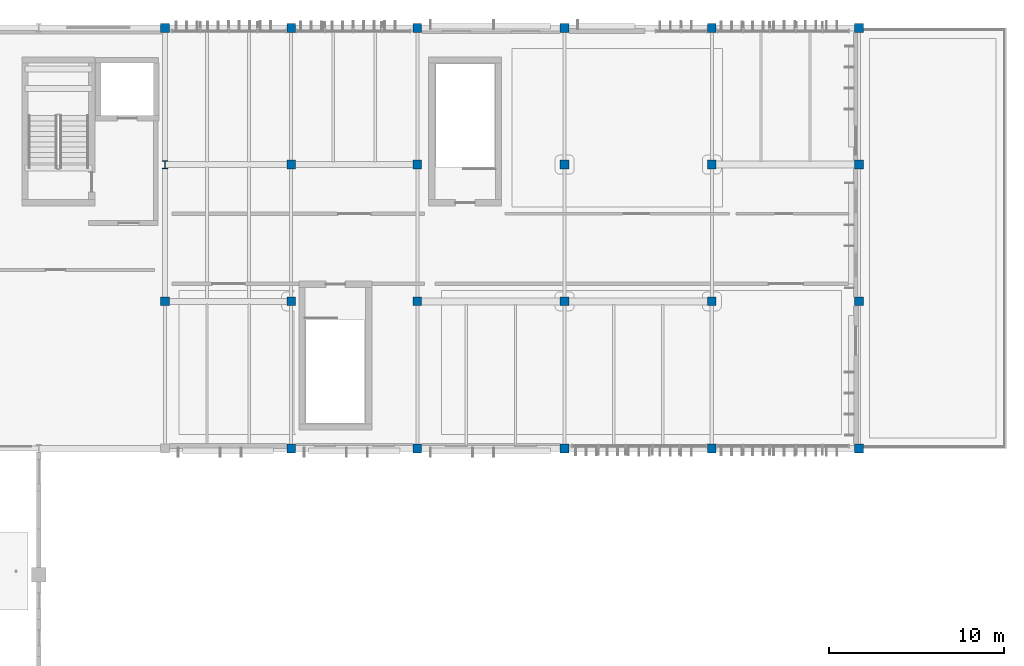
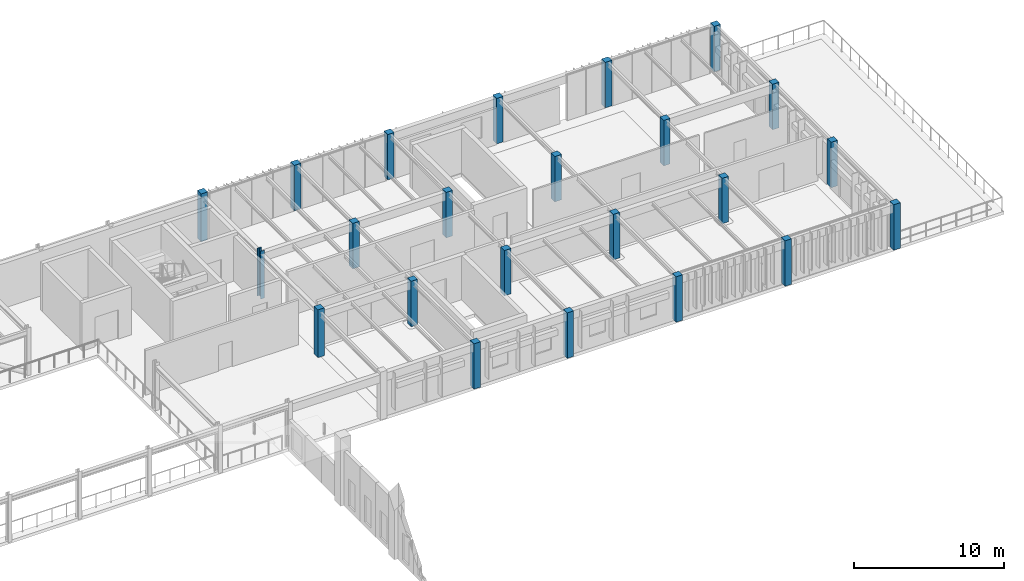
# One storey, part 5 of 44: 23 columns.
"""IFC4 building model written with IfcOpenShell, lengths in metres."""

from ifc_helpers import new_model, si_unit, direction, frame, origin, origin_2d, place, context, subcontext, project, spatial, rectangle, i_section, extrude, material, material_profile, profile_set, type_object, element, save


model = new_model("IFC4")

# Units and contexts
model_context = context("Model", 3, precision=1e-05, world=origin(), true_north=direction((0.0, 1.0)))
body_context = subcontext(model_context, "Body", "Model", "MODEL_VIEW")
ifc_project = project(units=[si_unit("LENGTHUNIT", "METRE"), si_unit("AREAUNIT", "SQUARE_METRE"), si_unit("VOLUMEUNIT", "CUBIC_METRE"), si_unit("PLANEANGLEUNIT", "RADIAN"), si_unit("MASSUNIT", "GRAM", prefix="KILO")], contexts=[model_context])

# Site, building, storey
site_placement = place(None, origin())
site = spatial("IfcSite", under=ifc_project, at=site_placement, CompositionType="ELEMENT")
building_placement = place(site_placement, origin())
building = spatial("IfcBuilding", under=site, at=building_placement, Name="Tazoul Stagehouse", CompositionType="ELEMENT")
storey_placement = place(building_placement, frame((0.0, 0.0, 13.199951171875)))
storey = spatial("IfcBuildingStorey", under=building, at=storey_placement, Name="L03", CompositionType="ELEMENT", Elevation=13.199951171875)

# Columns
ifc_material_1 = material(Name="Concrete C40/50", Category="concrete")
ifc_material_profile_1 = material_profile(ifc_material_1, rectangle(XDim=0.5, YDim=0.5, at=origin_2d()), Name="RC 500x500")
ifc_profile_set_1 = profile_set([ifc_material_profile_1], Name="Concrete C40/50")
column_type_1 = type_object("IfcColumnType", Name="RC Column 500x500", PredefinedType="COLUMN", material=ifc_profile_set_1)
column_1_placement = place(storey_placement, frame((102.60009765625, 96.199951171875, 0.0), z_axis=(0.0, 0.0, 1.0), x_axis=(1.0, 0.0, 0.0)))
element("IfcColumn", 1, at=column_1_placement, inside=storey, type_object=column_type_1, Name="L03 Column C-02 at 16/P", PredefinedType="COLUMN", context=body_context, shape_type="SweptSolid", body=[
    extrude(rectangle(XDim=0.5, YDim=0.5, at=origin_2d()), origin(), (0.0, 0.0, 1.0), 3.900146484375),
])
for number, where, z_axis, x_axis, name in (
    (2, (109.800048828125, 96.199951171875, 0.0), (0.0, 0.0, 1.0), (1.0, 0.0, 0.0), "L03 Column C-02 at 17/P"),
    (3, (109.800048828125, 104.0, 0.0), (0.0, 0.0, 1.0), (1.0, 0.0, 0.0), "L03 Column C-02 at 17/Q"),
    (4, (117.0, 96.199951171875, 0.0), (0.0, 0.0, 1.0), (1.0, 0.0, 0.0), "L03 Column C-02 at 18/P"),
    (5, (117.0, 104.0, 0.0), (0.0, 0.0, 1.0), (1.0, 0.0, 0.0), "L03 Column C-02 at 18/Q"),
    (6, (125.39990234375, 96.199951171875, 0.0), (0.0, 0.0, 1.0), (1.0, 0.0, 0.0), "L03 Column C-02 at 19/P"),
    (7, (125.39990234375, 104.0, 0.0), (0.0, 0.0, 1.0), (1.0, 0.0, 0.0), "L03 Column C-02 at 19/Q"),
    (8, (133.800048828125, 96.199951171875, 0.0), (0.0, 0.0, 1.0), (1.0, 0.0, 0.0), "L03 Column C-02 at 20/P"),
    (9, (133.800048828125, 104.0, 0.0), (0.0, 0.0, 1.0), (1.0, 0.0, 0.0), "L03 Column C-02 at 20/Q"),
):
    element("IfcColumn", number, at=place(storey_placement, frame(where, z_axis=z_axis, x_axis=x_axis)), inside=storey, type_object=column_type_1, Name=name, PredefinedType="COLUMN", context=body_context, shape_type="SweptSolid", body=[
        extrude(rectangle(XDim=0.5, YDim=0.5, at=origin_2d()), origin(), (0.0, 0.0, 1.0), 3.7099609375),
    ])
ifc_material_profile_2 = material_profile(ifc_material_1, rectangle(XDim=0.5, YDim=0.5, at=origin_2d()), Name="RC 500x500")
ifc_profile_set_2 = profile_set([ifc_material_profile_2], Name="Concrete C40/50")
column_type_2 = type_object("IfcColumnType", Name="RC Column 500x500 (Exterior)", PredefinedType="COLUMN", material=ifc_profile_set_2)
column_2_placement = place(storey_placement, frame((102.60009765625, 111.800048828125, 0.0), z_axis=(0.0, 0.0, 1.0), x_axis=(1.0, 0.0, 0.0)))
element("IfcColumn", 10, at=column_2_placement, inside=storey, type_object=column_type_2, Name="L03 Column C-02E at 16/R", PredefinedType="COLUMN", context=body_context, shape_type="SweptSolid", body=[
    extrude(rectangle(XDim=0.5, YDim=0.5, at=origin_2d()), origin(), (0.0, 0.0, 1.0), 3.900146484375),
])
for number, where, z_axis, x_axis, name in (
    (11, (109.800048828125, 87.800048828125, 0.0), (0.0, 0.0, 1.0), (1.0, 0.0, 0.0), "L03 Column C-02E at 17/N"),
    (12, (109.800048828125, 111.800048828125, 0.0), (0.0, 0.0, 1.0), (1.0, 0.0, 0.0), "L03 Column C-02E at 17/R"),
    (13, (117.0, 87.800048828125, 0.0), (0.0, 0.0, 1.0), (1.0, 0.0, 0.0), "L03 Column C-02E at 18/N"),
    (14, (117.0, 111.800048828125, 0.0), (0.0, 0.0, 1.0), (1.0, 0.0, 0.0), "L03 Column C-02E at 18/R"),
    (15, (125.39990234375, 87.800048828125, 0.0), (0.0, 0.0, 1.0), (1.0, 0.0, 0.0), "L03 Column C-02E at 19/N"),
    (16, (125.39990234375, 111.800048828125, 0.0), (0.0, 0.0, 1.0), (1.0, 0.0, 0.0), "L03 Column C-02E at 19/R"),
    (17, (133.800048828125, 87.800048828125, 0.0), (0.0, 0.0, 1.0), (1.0, 0.0, 0.0), "L03 Column C-02E at 20/N"),
    (18, (133.800048828125, 111.800048828125, 0.0), (0.0, 0.0, 1.0), (1.0, 0.0, 0.0), "L03 Column C-02E at 20/R"),
    (19, (142.199951171875, 87.800048828125, 0.0), (0.0, 0.0, 1.0), (1.0, 0.0, 0.0), "L03 Column C-02E at 21/N"),
    (20, (142.199951171875, 96.199951171875, 0.0), (0.0, 0.0, 1.0), (1.0, 0.0, 0.0), "L03 Column C-02E at 21/P"),
    (21, (142.199951171875, 104.0, 0.0), (0.0, 0.0, 1.0), (1.0, 0.0, 0.0), "L03 Column C-02E at 21/Q"),
    (22, (142.199951171875, 111.800048828125, 0.0), (0.0, 0.0, 1.0), (1.0, 0.0, 0.0), "L03 Column C-02E at 21/R"),
):
    element("IfcColumn", number, at=place(storey_placement, frame(where, z_axis=z_axis, x_axis=x_axis)), inside=storey, type_object=column_type_2, Name=name, PredefinedType="COLUMN", context=body_context, shape_type="SweptSolid", body=[
        extrude(rectangle(XDim=0.5, YDim=0.5, at=origin_2d()), origin(), (0.0, 0.0, 1.0), 3.7099609375),
    ])
ifc_material_2 = material(Name="Steel S355", Category="steel")
ifc_material_profile_3 = material_profile(ifc_material_2, i_section(OverallWidth=0.300048828125, OverallDepth=0.449951171875, WebThickness=0.013916015625, FlangeThickness=0.02587890625, FilletRadius=0.027099609375, at=origin_2d()), Name="HEB 450")
ifc_profile_set_3 = profile_set([ifc_material_profile_3], Name="Steel S355")
column_type_3 = type_object("IfcColumnType", Name="Steel Column HEB 450", PredefinedType="COLUMN", material=ifc_profile_set_3)
column_3_placement = place(storey_placement, frame((102.60009765625, 104.0, 0.0), z_axis=(0.0, 0.0, 1.0), x_axis=(1.0, 0.0, 0.0)))
element("IfcColumn", 23, at=column_3_placement, inside=storey, type_object=column_type_3, Name="L03 Column SC-05 at 16/Q", PredefinedType="COLUMN", context=body_context, shape_type="SweptSolid", body=[
    extrude(i_section(OverallWidth=0.300048828125, OverallDepth=0.449951171875, WebThickness=0.013916015625, FlangeThickness=0.02587890625, FilletRadius=0.027099609375, at=origin_2d()), origin(), (0.0, 0.0, 1.0), 3.900146484375),
])

save(model, "model.ifc")
